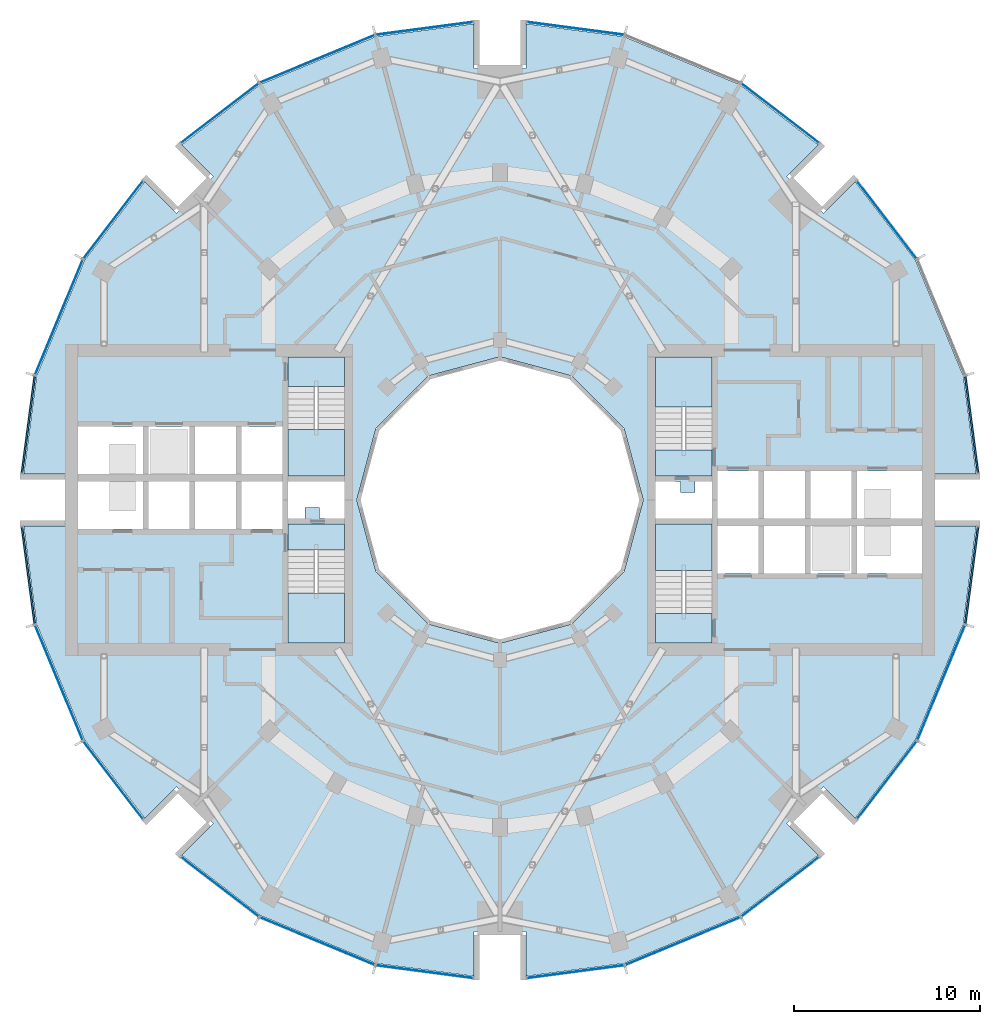
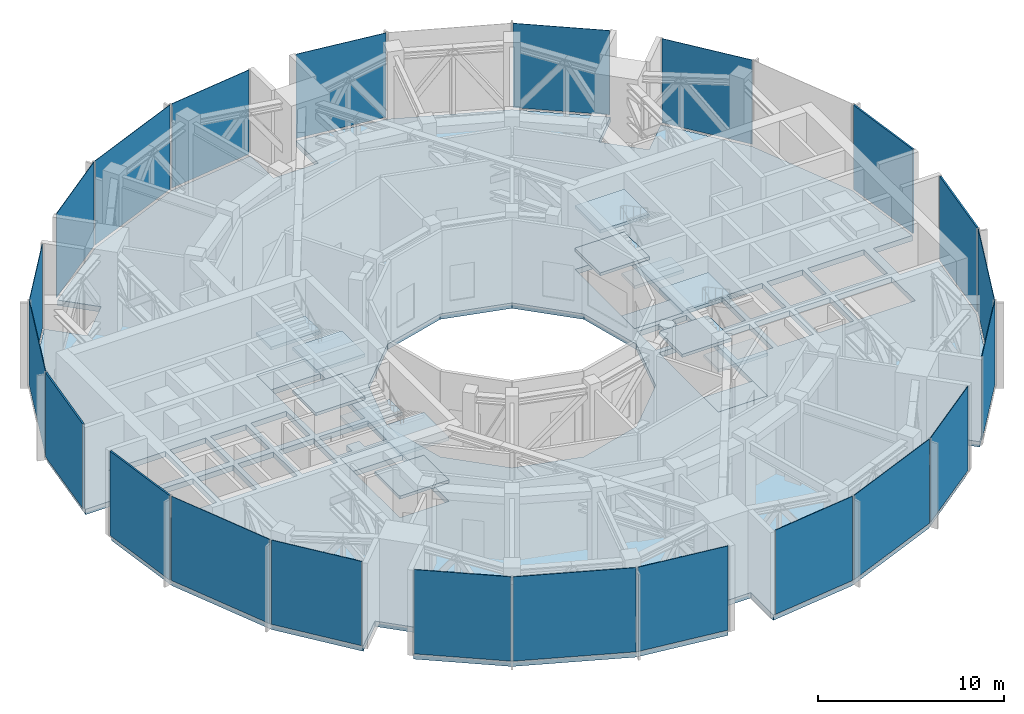
# One storey, part 11 of 18: 22 plates, 17 slabs, 26 elements without a shape of their own.
"""IFC4 building model written with IfcOpenShell, lengths in metres."""

from ifc_helpers import new_model, si_unit, direction, frame, origin, origin_2d, place, context, subcontext, project, spatial, polyline, rectangle, outline, extrude, material, layer, layer_set, type_object, element, aggregate, save


model = new_model("IFC4")

# Units and contexts
model_context = context("Model", 3, precision=1e-05, world=origin(), true_north=direction((0.0, 1.0)))
body_context = subcontext(model_context, "Body", "Model", "MODEL_VIEW")
ifc_project = project(units=[si_unit("LENGTHUNIT", "METRE"), si_unit("AREAUNIT", "SQUARE_METRE"), si_unit("VOLUMEUNIT", "CUBIC_METRE"), si_unit("PLANEANGLEUNIT", "RADIAN"), si_unit("MASSUNIT", "GRAM", prefix="KILO")], contexts=[model_context])

# Site, building, storey
site_placement = place(None, origin())
site = spatial("IfcSite", under=ifc_project, at=site_placement, CompositionType="ELEMENT")
building_placement = place(site_placement, origin())
building = spatial("IfcBuilding", under=site, at=building_placement, Name="Torre Brocal", CompositionType="ELEMENT")
storey_placement = place(building_placement, frame((0.0, 0.0, 109.0)))
storey = spatial("IfcBuildingStorey", under=building, at=storey_placement, Name="L25", CompositionType="ELEMENT", Elevation=109.0)

# Curtain wall, plate
ifc_material_1 = material(Name="Aluminium and glass", Category="aluminium")
ifc_layer_1 = layer(ifc_material_1, 0.199951171875)
ifc_layer_set_1 = layer_set([ifc_layer_1], Name="Aluminium and glass")
curtain_wall_type_1 = type_object("IfcCurtainWallType", Name="CW-1 CURTAIN WALL 5600 HIGH", PredefinedType="NOTDEFINED", material=ifc_layer_set_1)
curtain_wall_1_placement = place(storey_placement, origin())
curtain_wall_1 = element("IfcCurtainWall", 1, at=curtain_wall_1_placement, inside=storey, type_object=curtain_wall_type_1, Name="CW-1 RUN 3", PredefinedType="NOTDEFINED")
ifc_material_2 = material(Name="Aluminium composite panel", Category="aluminium")
ifc_layer_2 = layer(ifc_material_2, 0.031982421875)
ifc_layer_set_2 = layer_set([ifc_layer_2], Name="Aluminium composite panel")
plate_type_1 = type_object("IfcPlateType", Name="CW-1 OPAQUE PANEL 32", PredefinedType="CURTAIN_PANEL", material=ifc_layer_set_2)
plate_1_placement = place(storey_placement, frame((100.80126953125, 90.0712890625, 0.080078125), z_axis=(0.0, 0.0, 1.0), x_axis=(-0.60876142905, 0.793353340259, 0.0)))
plate_1 = element("IfcPlate", 2, at=plate_1_placement, type_object=plate_type_1, Name="CW1-2 panel 1.1", PredefinedType="CURTAIN_PANEL", context=body_context, shape_type="SweptSolid", body=[
    extrude(rectangle(XDim=5.22900390625, YDim=0.031982421875, at=origin_2d()), origin(), (0.0, 0.0, 1.0), 5.52001953125),
])
aggregate(curtain_wall_1, [plate_1])

curtain_wall_2_placement = place(storey_placement, origin())
curtain_wall_2 = element("IfcCurtainWall", 3, at=curtain_wall_2_placement, inside=storey, type_object=curtain_wall_type_1, Name="CW-1 RUN 4", PredefinedType="NOTDEFINED")
plate_2_placement = place(storey_placement, frame((95.0712890625, 95.80126953125, 0.080078125), z_axis=(0.0, 0.0, 1.0), x_axis=(-0.793353340259, 0.60876142905, 0.0)))
plate_2 = element("IfcPlate", 4, at=plate_2_placement, type_object=plate_type_1, Name="CW1-2 panel 1.1", PredefinedType="CURTAIN_PANEL", context=body_context, shape_type="SweptSolid", body=[
    extrude(rectangle(XDim=5.22900390625, YDim=0.031982421875, at=origin_2d()), origin(), (0.0, 0.0, 1.0), 5.52001953125),
])
aggregate(curtain_wall_2, [plate_2])

curtain_wall_3_placement = place(storey_placement, origin())
curtain_wall_3 = element("IfcCurtainWall", 5, at=curtain_wall_3_placement, inside=storey, type_object=curtain_wall_type_1, Name="CW-1 RUN 6", PredefinedType="NOTDEFINED")
plate_3_placement = place(storey_placement, frame((84.051513671875, 100.36572265625, 0.080078125), z_axis=(0.0, 0.0, 1.0), x_axis=(-0.991444861374, 0.13052619222, 0.0)))
plate_3 = element("IfcPlate", 6, at=plate_3_placement, type_object=plate_type_1, Name="CW1-2 panel 1.1", PredefinedType="CURTAIN_PANEL", context=body_context, shape_type="SweptSolid", body=[
    extrude(rectangle(XDim=5.22900390625, YDim=0.031982421875, at=origin_2d()), origin(), (0.0, 0.0, 1.0), 5.52001953125),
])
aggregate(curtain_wall_3, [plate_3])

curtain_wall_4_placement = place(storey_placement, origin())
curtain_wall_4 = element("IfcCurtainWall", 7, at=curtain_wall_4_placement, inside=storey, type_object=curtain_wall_type_1, Name="CW-1 RUN 7", PredefinedType="NOTDEFINED")
plate_4_placement = place(storey_placement, frame((75.948486328125, 100.36572265625, 0.080078125), z_axis=(0.0, 0.0, 1.0), x_axis=(-0.991444861374, -0.13052619222, 0.0)))
plate_4 = element("IfcPlate", 8, at=plate_4_placement, type_object=plate_type_1, Name="CW1-2 panel 1.1", PredefinedType="CURTAIN_PANEL", context=body_context, shape_type="SweptSolid", body=[
    extrude(rectangle(XDim=5.22900390625, YDim=0.031982421875, at=origin_2d()), origin(), (0.0, 0.0, 1.0), 5.52001953125),
])
aggregate(curtain_wall_4, [plate_4])

curtain_wall_5_placement = place(storey_placement, origin())
curtain_wall_5 = element("IfcCurtainWall", 9, at=curtain_wall_5_placement, inside=storey, type_object=curtain_wall_type_1, Name="CW-1 RUN 8", PredefinedType="NOTDEFINED")
plate_5_placement = place(storey_placement, frame((70.173583984375, 98.722900390625, 0.080078125), z_axis=(0.0, 0.0, 1.0), x_axis=(-0.923879532525, -0.382683432333, 0.0)))
plate_5 = element("IfcPlate", 10, at=plate_5_placement, type_object=plate_type_1, Name="CW1-2 panel 1.1", PredefinedType="CURTAIN_PANEL", context=body_context, shape_type="SweptSolid", body=[
    extrude(rectangle(XDim=6.64111328125, YDim=0.031982421875, at=origin_2d()), origin(), (0.0, 0.0, 1.0), 5.52001953125),
])
aggregate(curtain_wall_5, [plate_5])

curtain_wall_6_placement = place(storey_placement, origin())
curtain_wall_6 = element("IfcCurtainWall", 11, at=curtain_wall_6_placement, inside=storey, type_object=curtain_wall_type_1, Name="CW-1 RUN 9", PredefinedType="NOTDEFINED")
plate_6_placement = place(storey_placement, frame((64.9287109375, 95.80126953125, 0.080078125), z_axis=(0.0, 0.0, 1.0), x_axis=(-0.793353340259, -0.60876142905, 0.0)))
plate_6 = element("IfcPlate", 12, at=plate_6_placement, type_object=plate_type_1, Name="CW1-2 panel 1.1", PredefinedType="CURTAIN_PANEL", context=body_context, shape_type="SweptSolid", body=[
    extrude(rectangle(XDim=5.22900390625, YDim=0.031982421875, at=origin_2d()), origin(), (0.0, 0.0, 1.0), 5.52001953125),
])
aggregate(curtain_wall_6, [plate_6])

curtain_wall_7_placement = place(storey_placement, origin())
curtain_wall_7 = element("IfcCurtainWall", 13, at=curtain_wall_7_placement, inside=storey, type_object=curtain_wall_type_1, Name="CW-1 RUN 10", PredefinedType="NOTDEFINED")
plate_7_placement = place(storey_placement, frame((59.19873046875, 90.0712890625, 0.080078125), z_axis=(0.0, 0.0, 1.0), x_axis=(-0.60876142905, -0.793353340259, 0.0)))
plate_7 = element("IfcPlate", 14, at=plate_7_placement, type_object=plate_type_1, Name="CW1-2 panel 1.1", PredefinedType="CURTAIN_PANEL", context=body_context, shape_type="SweptSolid", body=[
    extrude(rectangle(XDim=5.22900390625, YDim=0.031982421875, at=origin_2d()), origin(), (0.0, 0.0, 1.0), 5.52001953125),
])
aggregate(curtain_wall_7, [plate_7])

curtain_wall_8_placement = place(storey_placement, origin())
curtain_wall_8 = element("IfcCurtainWall", 15, at=curtain_wall_8_placement, inside=storey, type_object=curtain_wall_type_1, Name="CW-1 RUN 11", PredefinedType="NOTDEFINED")
plate_8_placement = place(storey_placement, frame((56.277099609375, 84.826416015625, 0.080078125), z_axis=(0.0, 0.0, 1.0), x_axis=(-0.382683432333, -0.923879532525, 0.0)))
plate_8 = element("IfcPlate", 16, at=plate_8_placement, type_object=plate_type_1, Name="CW1-2 panel 1.1", PredefinedType="CURTAIN_PANEL", context=body_context, shape_type="SweptSolid", body=[
    extrude(rectangle(XDim=6.64111328125, YDim=0.031982421875, at=origin_2d()), origin(), (0.0, 0.0, 1.0), 5.52001953125),
])
aggregate(curtain_wall_8, [plate_8])

curtain_wall_9_placement = place(storey_placement, origin())
curtain_wall_9 = element("IfcCurtainWall", 17, at=curtain_wall_9_placement, inside=storey, type_object=curtain_wall_type_1, Name="CW-1 RUN 14", PredefinedType="NOTDEFINED")
plate_9_placement = place(storey_placement, frame((56.277099609375, 65.173583984375, 0.080078125), z_axis=(0.0, 0.0, 1.0), x_axis=(0.382683432333, -0.923879532525, 0.0)))
plate_9 = element("IfcPlate", 18, at=plate_9_placement, type_object=plate_type_1, Name="CW1-2 panel 1.1", PredefinedType="CURTAIN_PANEL", context=body_context, shape_type="SweptSolid", body=[
    extrude(rectangle(XDim=6.64111328125, YDim=0.031982421875, at=origin_2d()), origin(), (0.0, 0.0, 1.0), 5.52001953125),
])
aggregate(curtain_wall_9, [plate_9])

curtain_wall_10_placement = place(storey_placement, origin())
curtain_wall_10 = element("IfcCurtainWall", 19, at=curtain_wall_10_placement, inside=storey, type_object=curtain_wall_type_1, Name="CW-1 RUN 15", PredefinedType="NOTDEFINED")
plate_10_placement = place(storey_placement, frame((59.19873046875, 59.9287109375, 0.080078125), z_axis=(0.0, 0.0, 1.0), x_axis=(0.60876142905, -0.793353340259, 0.0)))
plate_10 = element("IfcPlate", 20, at=plate_10_placement, type_object=plate_type_1, Name="CW1-2 panel 1.1", PredefinedType="CURTAIN_PANEL", context=body_context, shape_type="SweptSolid", body=[
    extrude(rectangle(XDim=5.22900390625, YDim=0.031982421875, at=origin_2d()), origin(), (0.0, 0.0, 1.0), 5.52001953125),
])
aggregate(curtain_wall_10, [plate_10])

curtain_wall_11_placement = place(storey_placement, origin())
curtain_wall_11 = element("IfcCurtainWall", 21, at=curtain_wall_11_placement, inside=storey, type_object=curtain_wall_type_1, Name="CW-1 RUN 16", PredefinedType="NOTDEFINED")
plate_11_placement = place(storey_placement, frame((64.9287109375, 54.19873046875, 0.080078125), z_axis=(0.0, 0.0, 1.0), x_axis=(0.793353340259, -0.60876142905, 0.0)))
plate_11 = element("IfcPlate", 22, at=plate_11_placement, type_object=plate_type_1, Name="CW1-2 panel 1.1", PredefinedType="CURTAIN_PANEL", context=body_context, shape_type="SweptSolid", body=[
    extrude(rectangle(XDim=5.22900390625, YDim=0.031982421875, at=origin_2d()), origin(), (0.0, 0.0, 1.0), 5.52001953125),
])
aggregate(curtain_wall_11, [plate_11])

curtain_wall_12_placement = place(storey_placement, origin())
curtain_wall_12 = element("IfcCurtainWall", 23, at=curtain_wall_12_placement, inside=storey, type_object=curtain_wall_type_1, Name="CW-1 RUN 17", PredefinedType="NOTDEFINED")
plate_12_placement = place(storey_placement, frame((70.173583984375, 51.277099609375, 0.080078125), z_axis=(0.0, 0.0, 1.0), x_axis=(0.923879532525, -0.382683432333, 0.0)))
plate_12 = element("IfcPlate", 24, at=plate_12_placement, type_object=plate_type_1, Name="CW1-2 panel 1.1", PredefinedType="CURTAIN_PANEL", context=body_context, shape_type="SweptSolid", body=[
    extrude(rectangle(XDim=6.64111328125, YDim=0.031982421875, at=origin_2d()), origin(), (0.0, 0.0, 1.0), 5.52001953125),
])
aggregate(curtain_wall_12, [plate_12])

curtain_wall_13_placement = place(storey_placement, origin())
curtain_wall_13 = element("IfcCurtainWall", 25, at=curtain_wall_13_placement, inside=storey, type_object=curtain_wall_type_1, Name="CW-1 RUN 18", PredefinedType="NOTDEFINED")
plate_13_placement = place(storey_placement, frame((75.948486328125, 49.63427734375, 0.080078125), z_axis=(0.0, 0.0, 1.0), x_axis=(0.991444861374, -0.13052619222, 0.0)))
plate_13 = element("IfcPlate", 26, at=plate_13_placement, type_object=plate_type_1, Name="CW1-2 panel 1.1", PredefinedType="CURTAIN_PANEL", context=body_context, shape_type="SweptSolid", body=[
    extrude(rectangle(XDim=5.22900390625, YDim=0.031982421875, at=origin_2d()), origin(), (0.0, 0.0, 1.0), 5.52001953125),
])
aggregate(curtain_wall_13, [plate_13])

curtain_wall_14_placement = place(storey_placement, origin())
curtain_wall_14 = element("IfcCurtainWall", 27, at=curtain_wall_14_placement, inside=storey, type_object=curtain_wall_type_1, Name="CW-1 RUN 19", PredefinedType="NOTDEFINED")
plate_14_placement = place(storey_placement, frame((84.051513671875, 49.63427734375, 0.080078125), z_axis=(0.0, 0.0, 1.0), x_axis=(0.991444861374, 0.13052619222, 0.0)))
plate_14 = element("IfcPlate", 28, at=plate_14_placement, type_object=plate_type_1, Name="CW1-2 panel 1.1", PredefinedType="CURTAIN_PANEL", context=body_context, shape_type="SweptSolid", body=[
    extrude(rectangle(XDim=5.22900390625, YDim=0.031982421875, at=origin_2d()), origin(), (0.0, 0.0, 1.0), 5.52001953125),
])
aggregate(curtain_wall_14, [plate_14])

curtain_wall_15_placement = place(storey_placement, origin())
curtain_wall_15 = element("IfcCurtainWall", 29, at=curtain_wall_15_placement, inside=storey, type_object=curtain_wall_type_1, Name="CW-1 RUN 20", PredefinedType="NOTDEFINED")
plate_15_placement = place(storey_placement, frame((89.826416015625, 51.277099609375, 0.080078125), z_axis=(0.0, 0.0, 1.0), x_axis=(0.923879532525, 0.382683432333, 0.0)))
plate_15 = element("IfcPlate", 30, at=plate_15_placement, type_object=plate_type_1, Name="CW1-2 panel 1.1", PredefinedType="CURTAIN_PANEL", context=body_context, shape_type="SweptSolid", body=[
    extrude(rectangle(XDim=6.64111328125, YDim=0.031982421875, at=origin_2d()), origin(), (0.0, 0.0, 1.0), 5.52001953125),
])
aggregate(curtain_wall_15, [plate_15])

curtain_wall_16_placement = place(storey_placement, origin())
curtain_wall_16 = element("IfcCurtainWall", 31, at=curtain_wall_16_placement, inside=storey, type_object=curtain_wall_type_1, Name="CW-1 RUN 21", PredefinedType="NOTDEFINED")
plate_16_placement = place(storey_placement, frame((95.0712890625, 54.19873046875, 0.080078125), z_axis=(0.0, 0.0, 1.0), x_axis=(0.793353340259, 0.60876142905, 0.0)))
plate_16 = element("IfcPlate", 32, at=plate_16_placement, type_object=plate_type_1, Name="CW1-2 panel 1.1", PredefinedType="CURTAIN_PANEL", context=body_context, shape_type="SweptSolid", body=[
    extrude(rectangle(XDim=5.22900390625, YDim=0.031982421875, at=origin_2d()), origin(), (0.0, 0.0, 1.0), 5.52001953125),
])
aggregate(curtain_wall_16, [plate_16])

curtain_wall_17_placement = place(storey_placement, origin())
curtain_wall_17 = element("IfcCurtainWall", 33, at=curtain_wall_17_placement, inside=storey, type_object=curtain_wall_type_1, Name="CW-1 RUN 22", PredefinedType="NOTDEFINED")
plate_17_placement = place(storey_placement, frame((100.80126953125, 59.9287109375, 0.080078125), z_axis=(0.0, 0.0, 1.0), x_axis=(0.60876142905, 0.793353340259, 0.0)))
plate_17 = element("IfcPlate", 34, at=plate_17_placement, type_object=plate_type_1, Name="CW1-2 panel 1.1", PredefinedType="CURTAIN_PANEL", context=body_context, shape_type="SweptSolid", body=[
    extrude(rectangle(XDim=5.22900390625, YDim=0.031982421875, at=origin_2d()), origin(), (0.0, 0.0, 1.0), 5.52001953125),
])
aggregate(curtain_wall_17, [plate_17])

curtain_wall_18_placement = place(storey_placement, origin())
curtain_wall_18 = element("IfcCurtainWall", 35, at=curtain_wall_18_placement, inside=storey, type_object=curtain_wall_type_1, Name="CW-1 RUN 23", PredefinedType="NOTDEFINED")
plate_18_placement = place(storey_placement, frame((103.722900390625, 65.173583984375, 0.080078125), z_axis=(0.0, 0.0, 1.0), x_axis=(0.382683432333, 0.923879532525, 0.0)))
plate_18 = element("IfcPlate", 36, at=plate_18_placement, type_object=plate_type_1, Name="CW1-2 panel 1.1", PredefinedType="CURTAIN_PANEL", context=body_context, shape_type="SweptSolid", body=[
    extrude(rectangle(XDim=6.64111328125, YDim=0.031982421875, at=origin_2d()), origin(), (0.0, 0.0, 1.0), 5.52001953125),
])
aggregate(curtain_wall_18, [plate_18])

ifc_material_3 = material(Name="Aluminium and glass", Category="aluminium")
ifc_layer_3 = layer(ifc_material_3, 0.199951171875)
ifc_layer_set_3 = layer_set([ifc_layer_3], Name="Aluminium and glass")
curtain_wall_type_2 = type_object("IfcCurtainWallType", Name="CW-1B CURTAIN WALL 5600 HIGH", PredefinedType="NOTDEFINED", material=ifc_layer_set_3)
curtain_wall_19_placement = place(storey_placement, origin())
curtain_wall_19 = element("IfcCurtainWall", 37, at=curtain_wall_19_placement, inside=storey, type_object=curtain_wall_type_2, Name="CW-1B RUN 1", PredefinedType="NOTDEFINED")
ifc_material_4 = material(Name="Aluminium composite panel", Category="aluminium")
ifc_layer_4 = layer(ifc_material_4, 0.10009765625)
ifc_layer_set_4 = layer_set([ifc_layer_4], Name="Aluminium composite panel")
plate_type_2 = type_object("IfcPlateType", Name="CW-1B OPAQUE PANEL 100", PredefinedType="CURTAIN_PANEL", material=ifc_layer_set_4)
plate_19_placement = place(storey_placement, frame((105.36572265625, 79.051513671875, 0.080078125), z_axis=(0.0, 0.0, 1.0), x_axis=(-0.13052619222, 0.991444861374, 0.0)))
plate_19 = element("IfcPlate", 38, at=plate_19_placement, type_object=plate_type_2, Name="CW1B-2 panel 1.1", PredefinedType="CURTAIN_PANEL", context=body_context, shape_type="SweptSolid", body=[
    extrude(rectangle(XDim=5.22900390625, YDim=0.10009765625, at=origin_2d()), origin(), (0.0, 0.0, 1.0), 5.52001953125),
])
aggregate(curtain_wall_19, [plate_19])

curtain_wall_20_placement = place(storey_placement, origin())
curtain_wall_20 = element("IfcCurtainWall", 39, at=curtain_wall_20_placement, inside=storey, type_object=curtain_wall_type_2, Name="CW-1B RUN 12", PredefinedType="NOTDEFINED")
plate_20_placement = place(storey_placement, frame((54.63427734375, 79.051513671875, 0.080078125), z_axis=(0.0, 0.0, 1.0), x_axis=(-0.13052619222, -0.991444861374, 0.0)))
plate_20 = element("IfcPlate", 40, at=plate_20_placement, type_object=plate_type_2, Name="CW1B-2 panel 1.1", PredefinedType="CURTAIN_PANEL", context=body_context, shape_type="SweptSolid", body=[
    extrude(rectangle(XDim=5.22900390625, YDim=0.10009765625, at=origin_2d()), origin(), (0.0, 0.0, 1.0), 5.52001953125),
])
aggregate(curtain_wall_20, [plate_20])

curtain_wall_21_placement = place(storey_placement, origin())
curtain_wall_21 = element("IfcCurtainWall", 41, at=curtain_wall_21_placement, inside=storey, type_object=curtain_wall_type_2, Name="CW-1B RUN 13", PredefinedType="NOTDEFINED")
plate_21_placement = place(storey_placement, frame((54.63427734375, 70.948486328125, 0.080078125), z_axis=(0.0, 0.0, 1.0), x_axis=(0.13052619222, -0.991444861374, 0.0)))
plate_21 = element("IfcPlate", 42, at=plate_21_placement, type_object=plate_type_2, Name="CW1B-2 panel 1.1", PredefinedType="CURTAIN_PANEL", context=body_context, shape_type="SweptSolid", body=[
    extrude(rectangle(XDim=5.22900390625, YDim=0.10009765625, at=origin_2d()), origin(), (0.0, 0.0, 1.0), 5.52001953125),
])
aggregate(curtain_wall_21, [plate_21])

curtain_wall_22_placement = place(storey_placement, origin())
curtain_wall_22 = element("IfcCurtainWall", 43, at=curtain_wall_22_placement, inside=storey, type_object=curtain_wall_type_2, Name="CW-1B RUN 24", PredefinedType="NOTDEFINED")
plate_22_placement = place(storey_placement, frame((105.36572265625, 70.948486328125, 0.080078125), z_axis=(0.0, 0.0, 1.0), x_axis=(0.13052619222, 0.991444861374, 0.0)))
plate_22 = element("IfcPlate", 44, at=plate_22_placement, type_object=plate_type_2, Name="CW1B-2 panel 1.1", PredefinedType="CURTAIN_PANEL", context=body_context, shape_type="SweptSolid", body=[
    extrude(rectangle(XDim=5.22900390625, YDim=0.10009765625, at=origin_2d()), origin(), (0.0, 0.0, 1.0), 5.52001953125),
])
aggregate(curtain_wall_22, [plate_22])

# Stair, slab
ifc_material_5 = material(Name="Concrete C50", Category="concrete")
stair_type = type_object("IfcStairType", Name="EXIT STAIR", PredefinedType="HALF_TURN_STAIR", material=ifc_material_5)
stair_1_placement = place(storey_placement, origin())
stair_1 = element("IfcStair", 45, at=stair_1_placement, inside=storey, type_object=stair_type, Name="EXIT STAIR ST1", PredefinedType="HALF_TURN_STAIR")
ifc_material_6 = material(Name="Concrete C50", Category="concrete")
ifc_layer_5 = layer(ifc_material_6, 0.35009765625)
ifc_layer_set_5 = layer_set([ifc_layer_5], Name="Concrete C50")
slab_type_1 = type_object("IfcSlabType", Name="FLOOR LANDING 350", PredefinedType="LANDING", material=ifc_layer_set_5)
slab_1_placement = place(storey_placement, frame((0.0, 0.0, -0.35009765625)))
slab_1 = element("IfcSlab", 46, at=slab_1_placement, type_object=slab_type_1, Name="ST1 landing 1", PredefinedType="LANDING", context=body_context, shape_type="SweptSolid", body=[
    extrude(outline(polyline([(88.35009765625, 76.300048828125), (91.39990234375, 76.300048828125), (91.39990234375, 77.699951171875), (88.35009765625, 77.699951171875), (88.35009765625, 76.300048828125)])), origin(), (0.0, 0.0, 1.0), 0.35009765625),
])

stair_2_placement = place(storey_placement, origin())
stair_2 = element("IfcStair", 47, at=stair_2_placement, inside=storey, type_object=stair_type, Name="EXIT STAIR ST2", PredefinedType="HALF_TURN_STAIR")
slab_2_placement = place(storey_placement, frame((0.0, 0.0, -0.35009765625)))
slab_2 = element("IfcSlab", 48, at=slab_2_placement, type_object=slab_type_1, Name="ST2 landing 1", PredefinedType="LANDING", context=body_context, shape_type="SweptSolid", body=[
    extrude(outline(polyline([(88.35009765625, 67.300048828125), (91.39990234375, 67.300048828125), (91.39990234375, 68.89990234375), (88.35009765625, 68.89990234375), (88.35009765625, 67.300048828125)])), origin(), (0.0, 0.0, 1.0), 0.35009765625),
])

stair_3_placement = place(storey_placement, origin())
stair_3 = element("IfcStair", 49, at=stair_3_placement, inside=storey, type_object=stair_type, Name="EXIT STAIR ST3", PredefinedType="HALF_TURN_STAIR")
slab_3_placement = place(storey_placement, frame((0.0, 0.0, -0.35009765625)))
slab_3 = element("IfcSlab", 50, at=slab_3_placement, type_object=slab_type_1, Name="ST3 landing 1", PredefinedType="LANDING", context=body_context, shape_type="SweptSolid", body=[
    extrude(outline(polyline([(71.64990234375, 73.699951171875), (68.60009765625, 73.699951171875), (68.60009765625, 72.300048828125), (71.64990234375, 72.300048828125), (71.64990234375, 73.699951171875)])), origin(), (0.0, 0.0, 1.0), 0.35009765625),
])

stair_4_placement = place(storey_placement, origin())
stair_4 = element("IfcStair", 51, at=stair_4_placement, inside=storey, type_object=stair_type, Name="EXIT STAIR ST4", PredefinedType="HALF_TURN_STAIR")
slab_4_placement = place(storey_placement, frame((0.0, 0.0, -0.35009765625)))
slab_4 = element("IfcSlab", 52, at=slab_4_placement, type_object=slab_type_1, Name="ST4 landing 1", PredefinedType="LANDING", context=body_context, shape_type="SweptSolid", body=[
    extrude(outline(polyline([(71.64990234375, 82.699951171875), (68.60009765625, 82.699951171875), (68.60009765625, 81.10009765625), (71.64990234375, 81.10009765625), (71.64990234375, 82.699951171875)])), origin(), (0.0, 0.0, 1.0), 0.35009765625),
])

# Slab
ifc_material_7 = material(Name="Concrete C50", Category="concrete")
ifc_layer_6 = layer(ifc_material_7, 0.199951171875)
ifc_layer_set_6 = layer_set([ifc_layer_6], Name="Concrete C50")
slab_type_2 = type_object("IfcSlabType", Name="MID LANDING +1400", PredefinedType="LANDING", material=ifc_layer_set_6)
slab_5_placement = place(storey_placement, frame((0.0, 0.0, 1.199951171875)))
slab_5 = element("IfcSlab", 53, at=slab_5_placement, type_object=slab_type_2, Name="ST1 landing 2", PredefinedType="LANDING", context=body_context, shape_type="SweptSolid", body=[
    extrude(outline(polyline([(88.35009765625, 80.010009765625), (91.39990234375, 80.010009765625), (91.39990234375, 82.699951171875), (88.35009765625, 82.699951171875), (88.35009765625, 80.010009765625)])), origin(), (0.0, 0.0, 1.0), 0.199951171875),
])

slab_6_placement = place(storey_placement, frame((0.0, 0.0, 1.199951171875)))
slab_6 = element("IfcSlab", 54, at=slab_6_placement, type_object=slab_type_2, Name="ST2 landing 2", PredefinedType="LANDING", context=body_context, shape_type="SweptSolid", body=[
    extrude(outline(polyline([(88.35009765625, 71.2099609375), (91.39990234375, 71.2099609375), (91.39990234375, 73.699951171875), (88.35009765625, 73.699951171875), (88.35009765625, 71.2099609375)])), origin(), (0.0, 0.0, 1.0), 0.199951171875),
])

slab_7_placement = place(storey_placement, frame((0.0, 0.0, 1.199951171875)))
slab_7 = element("IfcSlab", 55, at=slab_7_placement, type_object=slab_type_2, Name="ST3 landing 2", PredefinedType="LANDING", context=body_context, shape_type="SweptSolid", body=[
    extrude(outline(polyline([(71.64990234375, 69.989990234375), (68.60009765625, 69.989990234375), (68.60009765625, 67.300048828125), (71.64990234375, 67.300048828125), (71.64990234375, 69.989990234375)])), origin(), (0.0, 0.0, 1.0), 0.199951171875),
])

slab_8_placement = place(storey_placement, frame((0.0, 0.0, 1.199951171875)))
slab_8 = element("IfcSlab", 56, at=slab_8_placement, type_object=slab_type_2, Name="ST4 landing 2", PredefinedType="LANDING", context=body_context, shape_type="SweptSolid", body=[
    extrude(outline(polyline([(71.64990234375, 78.7900390625), (68.60009765625, 78.7900390625), (68.60009765625, 76.300048828125), (71.64990234375, 76.300048828125), (71.64990234375, 78.7900390625)])), origin(), (0.0, 0.0, 1.0), 0.199951171875),
])

ifc_material_8 = material(Name="Concrete C50", Category="concrete")
ifc_layer_7 = layer(ifc_material_8, 0.199951171875)
ifc_layer_set_7 = layer_set([ifc_layer_7], Name="Concrete C50")
slab_type_3 = type_object("IfcSlabType", Name="MID LANDING +2800", PredefinedType="LANDING", material=ifc_layer_set_7)
slab_9_placement = place(storey_placement, frame((0.0, 0.0, 2.60009765625)))
slab_9 = element("IfcSlab", 57, at=slab_9_placement, type_object=slab_type_3, Name="ST1 landing 3", PredefinedType="LANDING", context=body_context, shape_type="SweptSolid", body=[
    extrude(outline(polyline([(88.35009765625, 76.300048828125), (91.39990234375, 76.300048828125), (91.39990234375, 77.699951171875), (88.35009765625, 77.699951171875), (88.35009765625, 76.300048828125)])), origin(), (0.0, 0.0, 1.0), 0.199951171875),
])

slab_10_placement = place(storey_placement, frame((0.0, 0.0, 2.60009765625)))
slab_10 = element("IfcSlab", 58, at=slab_10_placement, type_object=slab_type_3, Name="ST2 landing 3", PredefinedType="LANDING", context=body_context, shape_type="SweptSolid", body=[
    extrude(outline(polyline([(88.35009765625, 67.300048828125), (91.39990234375, 67.300048828125), (91.39990234375, 68.89990234375), (88.35009765625, 68.89990234375), (88.35009765625, 67.300048828125)])), origin(), (0.0, 0.0, 1.0), 0.199951171875),
])

slab_11_placement = place(storey_placement, frame((0.0, 0.0, 2.60009765625)))
slab_11 = element("IfcSlab", 59, at=slab_11_placement, type_object=slab_type_3, Name="ST3 landing 3", PredefinedType="LANDING", context=body_context, shape_type="SweptSolid", body=[
    extrude(outline(polyline([(71.64990234375, 73.699951171875), (68.60009765625, 73.699951171875), (68.60009765625, 72.300048828125), (71.64990234375, 72.300048828125), (71.64990234375, 73.699951171875)])), origin(), (0.0, 0.0, 1.0), 0.199951171875),
])

slab_12_placement = place(storey_placement, frame((0.0, 0.0, 2.60009765625)))
slab_12 = element("IfcSlab", 60, at=slab_12_placement, type_object=slab_type_3, Name="ST4 landing 3", PredefinedType="LANDING", context=body_context, shape_type="SweptSolid", body=[
    extrude(outline(polyline([(71.64990234375, 82.699951171875), (68.60009765625, 82.699951171875), (68.60009765625, 81.10009765625), (71.64990234375, 81.10009765625), (71.64990234375, 82.699951171875)])), origin(), (0.0, 0.0, 1.0), 0.199951171875),
])

ifc_material_9 = material(Name="Concrete C50", Category="concrete")
ifc_layer_8 = layer(ifc_material_9, 0.199951171875)
ifc_layer_set_8 = layer_set([ifc_layer_8], Name="Concrete C50")
slab_type_4 = type_object("IfcSlabType", Name="MID LANDING +4200", PredefinedType="LANDING", material=ifc_layer_set_8)
slab_13_placement = place(storey_placement, frame((0.0, 0.0, 4.0)))
slab_13 = element("IfcSlab", 61, at=slab_13_placement, type_object=slab_type_4, Name="ST1 landing 4", PredefinedType="LANDING", context=body_context, shape_type="SweptSolid", body=[
    extrude(outline(polyline([(88.35009765625, 80.010009765625), (91.39990234375, 80.010009765625), (91.39990234375, 82.699951171875), (88.35009765625, 82.699951171875), (88.35009765625, 80.010009765625)])), origin(), (0.0, 0.0, 1.0), 0.199951171875),
])

aggregate(stair_1, [slab_1, slab_5, slab_9, slab_13])

slab_14_placement = place(storey_placement, frame((0.0, 0.0, 4.0)))
slab_14 = element("IfcSlab", 62, at=slab_14_placement, type_object=slab_type_4, Name="ST2 landing 4", PredefinedType="LANDING", context=body_context, shape_type="SweptSolid", body=[
    extrude(outline(polyline([(88.35009765625, 71.2099609375), (91.39990234375, 71.2099609375), (91.39990234375, 73.699951171875), (88.35009765625, 73.699951171875), (88.35009765625, 71.2099609375)])), origin(), (0.0, 0.0, 1.0), 0.199951171875),
])

aggregate(stair_2, [slab_2, slab_6, slab_10, slab_14])

slab_15_placement = place(storey_placement, frame((0.0, 0.0, 4.0)))
slab_15 = element("IfcSlab", 63, at=slab_15_placement, type_object=slab_type_4, Name="ST3 landing 4", PredefinedType="LANDING", context=body_context, shape_type="SweptSolid", body=[
    extrude(outline(polyline([(71.64990234375, 69.989990234375), (68.60009765625, 69.989990234375), (68.60009765625, 67.300048828125), (71.64990234375, 67.300048828125), (71.64990234375, 69.989990234375)])), origin(), (0.0, 0.0, 1.0), 0.199951171875),
])

aggregate(stair_3, [slab_3, slab_7, slab_11, slab_15])

slab_16_placement = place(storey_placement, frame((0.0, 0.0, 4.0)))
slab_16 = element("IfcSlab", 64, at=slab_16_placement, type_object=slab_type_4, Name="ST4 landing 4", PredefinedType="LANDING", context=body_context, shape_type="SweptSolid", body=[
    extrude(outline(polyline([(71.64990234375, 78.7900390625), (68.60009765625, 78.7900390625), (68.60009765625, 76.300048828125), (71.64990234375, 76.300048828125), (71.64990234375, 78.7900390625)])), origin(), (0.0, 0.0, 1.0), 0.199951171875),
])

aggregate(stair_4, [slab_4, slab_8, slab_12, slab_16])

ifc_material_10 = material(Name="Concrete C45", Category="concrete")
ifc_layer_9 = layer(ifc_material_10, 0.35009765625)
ifc_layer_set_9 = layer_set([ifc_layer_9], Name="Concrete C45")
slab_type_5 = type_object("IfcSlabType", Name="PT FLOOR SLAB 350 C45", PredefinedType="FLOOR", material=ifc_layer_set_9)
slab_17_placement = place(storey_placement, frame((0.0, 0.0, -0.35009765625)))
element("IfcSlab", 65, at=slab_17_placement, inside=storey, type_object=slab_type_5, Name="Slab ST-11", PredefinedType="FLOOR", context=body_context, shape_type="SweptSolid", body=[
    extrude(outline(polyline([(103.199951171875, 76.39990234375), (103.199951171875, 73.60009765625), (105.614013671875, 73.60009765625), (104.919189453125, 68.322998046875), (102.342041015625, 62.100830078125), (99.101806640625, 57.878173828125), (97.394775390625, 59.5849609375), (95.4150390625, 57.605224609375), (97.121826171875, 55.898193359375), (92.899169921875, 52.657958984375), (86.677001953125, 50.080810546875), (81.39990234375, 49.385986328125), (81.39990234375, 51.800048828125), (78.60009765625, 51.800048828125), (78.60009765625, 49.385986328125), (73.322998046875, 50.080810546875), (67.100830078125, 52.657958984375), (62.878173828125, 55.898193359375), (64.5849609375, 57.605224609375), (62.605224609375, 59.5849609375), (60.898193359375, 57.878173828125), (57.657958984375, 62.100830078125), (55.080810546875, 68.322998046875), (54.385986328125, 73.60009765625), (56.800048828125, 73.60009765625), (56.800048828125, 76.39990234375), (54.385986328125, 76.39990234375), (55.080810546875, 81.677001953125), (57.657958984375, 87.899169921875), (60.898193359375, 92.121826171875), (62.605224609375, 90.4150390625), (64.5849609375, 92.394775390625), (62.878173828125, 94.101806640625), (67.100830078125, 97.342041015625), (73.322998046875, 99.919189453125), (78.60009765625, 100.614013671875), (78.60009765625, 98.199951171875), (81.39990234375, 98.199951171875), (81.39990234375, 100.614013671875), (86.677001953125, 99.919189453125), (92.899169921875, 97.342041015625), (97.121826171875, 94.101806640625), (95.4150390625, 92.394775390625), (97.394775390625, 90.4150390625), (99.101806640625, 92.121826171875), (102.342041015625, 87.899169921875), (104.919189453125, 81.677001953125), (105.614013671875, 76.39990234375), (103.199951171875, 76.39990234375)]), holes=[polyline([(102.699951171875, 74.0), (102.699951171875, 76.550048828125), (99.199951171875, 76.550048828125), (99.199951171875, 74.0), (102.699951171875, 74.0)]), polyline([(102.699951171875, 71.050048828125), (102.699951171875, 73.60009765625), (99.199951171875, 73.60009765625), (99.199951171875, 71.050048828125), (102.699951171875, 71.050048828125)]), polyline([(98.89990234375, 76.550048828125), (96.699951171875, 76.550048828125), (96.699951171875, 74.0), (98.89990234375, 74.0), (98.89990234375, 76.550048828125)]), polyline([(98.89990234375, 71.050048828125), (98.89990234375, 73.60009765625), (96.699951171875, 73.60009765625), (96.699951171875, 71.050048828125), (98.89990234375, 71.050048828125)]), polyline([(96.39990234375, 73.60009765625), (94.199951171875, 73.60009765625), (94.199951171875, 71.050048828125), (96.39990234375, 71.050048828125), (96.39990234375, 73.60009765625)]), polyline([(96.39990234375, 74.0), (96.39990234375, 76.550048828125), (94.199951171875, 76.550048828125), (94.199951171875, 74.0), (96.39990234375, 74.0)]), polyline([(93.89990234375, 73.60009765625), (91.699951171875, 73.60009765625), (91.699951171875, 71.050048828125), (93.89990234375, 71.050048828125), (93.89990234375, 73.60009765625)]), polyline([(93.89990234375, 74.0), (93.89990234375, 76.550048828125), (91.699951171875, 76.550048828125), (91.699951171875, 74.0), (93.89990234375, 74.0)]), polyline([(91.39990234375, 76.300048828125), (91.39990234375, 82.699951171875), (88.35009765625, 82.699951171875), (88.35009765625, 76.300048828125), (91.39990234375, 76.300048828125)]), polyline([(91.39990234375, 73.699951171875), (88.35009765625, 73.699951171875), (88.35009765625, 67.300048828125), (91.39990234375, 67.300048828125), (91.39990234375, 73.699951171875)]), polyline([(89.699951171875, 76.0), (88.35009765625, 76.0), (88.35009765625, 74.0), (91.39990234375, 74.0), (91.39990234375, 76.0), (90.5, 76.0), (90.5, 75.39990234375), (89.699951171875, 75.39990234375), (89.699951171875, 76.0)]), polyline([(80.0, 82.70703125), (76.146484375, 81.674560546875), (73.325439453125, 78.853515625), (72.29296875, 75.0), (73.325439453125, 71.146484375), (76.146484375, 68.325439453125), (80.0, 67.29296875), (83.853515625, 68.325439453125), (86.674560546875, 71.146484375), (87.70703125, 75.0), (86.674560546875, 78.853515625), (83.853515625, 81.674560546875), (80.0, 82.70703125)]), polyline([(68.60009765625, 82.699951171875), (68.60009765625, 76.300048828125), (71.64990234375, 76.300048828125), (71.64990234375, 82.699951171875), (68.60009765625, 82.699951171875)]), polyline([(70.300048828125, 74.0), (71.64990234375, 74.0), (71.64990234375, 76.0), (68.60009765625, 76.0), (68.60009765625, 74.0), (69.5, 74.0), (69.5, 74.60009765625), (70.300048828125, 74.60009765625), (70.300048828125, 74.0)]), polyline([(68.60009765625, 67.300048828125), (71.64990234375, 67.300048828125), (71.64990234375, 73.699951171875), (68.60009765625, 73.699951171875), (68.60009765625, 67.300048828125)]), polyline([(66.10009765625, 78.949951171875), (66.10009765625, 76.39990234375), (68.300048828125, 76.39990234375), (68.300048828125, 78.949951171875), (66.10009765625, 78.949951171875)]), polyline([(66.10009765625, 76.0), (66.10009765625, 73.449951171875), (68.300048828125, 73.449951171875), (68.300048828125, 76.0), (66.10009765625, 76.0)]), polyline([(63.60009765625, 76.0), (63.60009765625, 73.449951171875), (65.800048828125, 73.449951171875), (65.800048828125, 76.0), (63.60009765625, 76.0)]), polyline([(63.60009765625, 76.39990234375), (65.800048828125, 76.39990234375), (65.800048828125, 78.949951171875), (63.60009765625, 78.949951171875), (63.60009765625, 76.39990234375)]), polyline([(61.10009765625, 78.949951171875), (61.10009765625, 76.39990234375), (63.300048828125, 76.39990234375), (63.300048828125, 78.949951171875), (61.10009765625, 78.949951171875)]), polyline([(61.10009765625, 73.449951171875), (63.300048828125, 73.449951171875), (63.300048828125, 76.0), (61.10009765625, 76.0), (61.10009765625, 73.449951171875)]), polyline([(57.300048828125, 73.449951171875), (60.800048828125, 73.449951171875), (60.800048828125, 76.0), (57.300048828125, 76.0), (57.300048828125, 73.449951171875)]), polyline([(57.300048828125, 78.949951171875), (57.300048828125, 76.39990234375), (60.800048828125, 76.39990234375), (60.800048828125, 78.949951171875), (57.300048828125, 78.949951171875)])]), origin(), (0.0, 0.0, 1.0), 0.35009765625),
])

save(model, "model.ifc")
